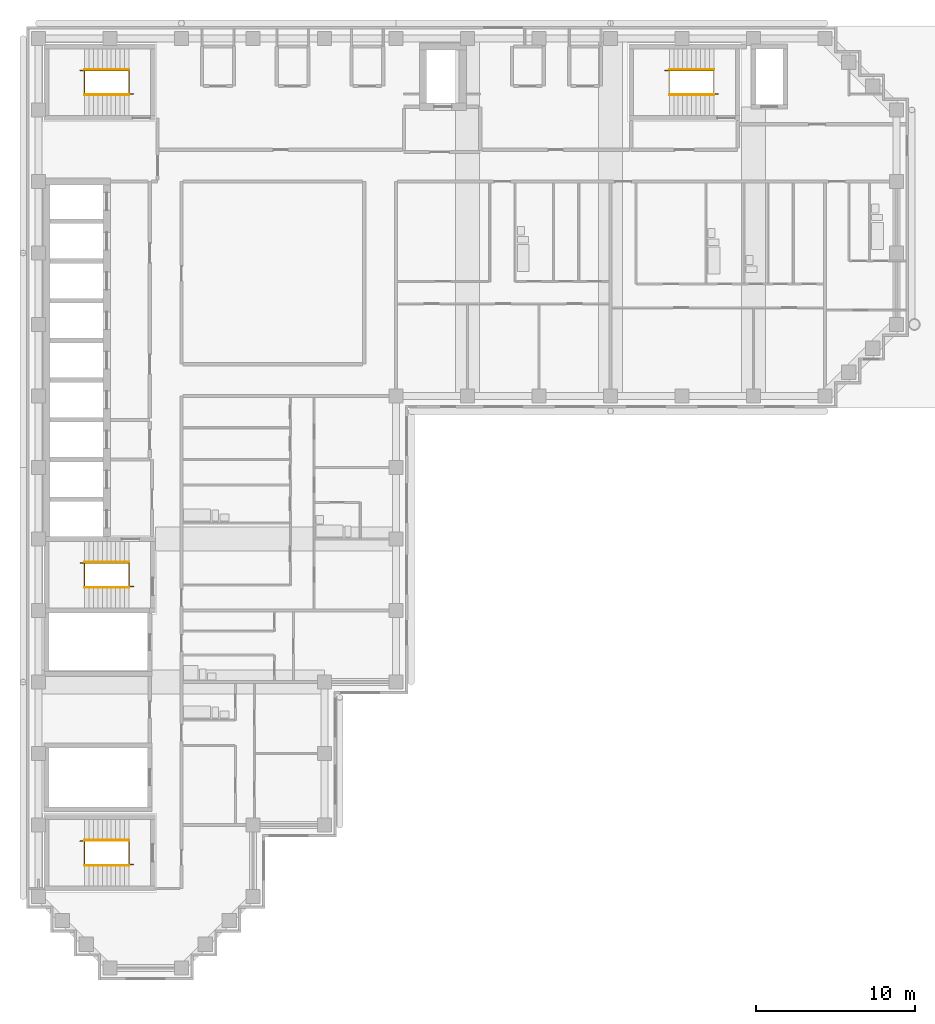
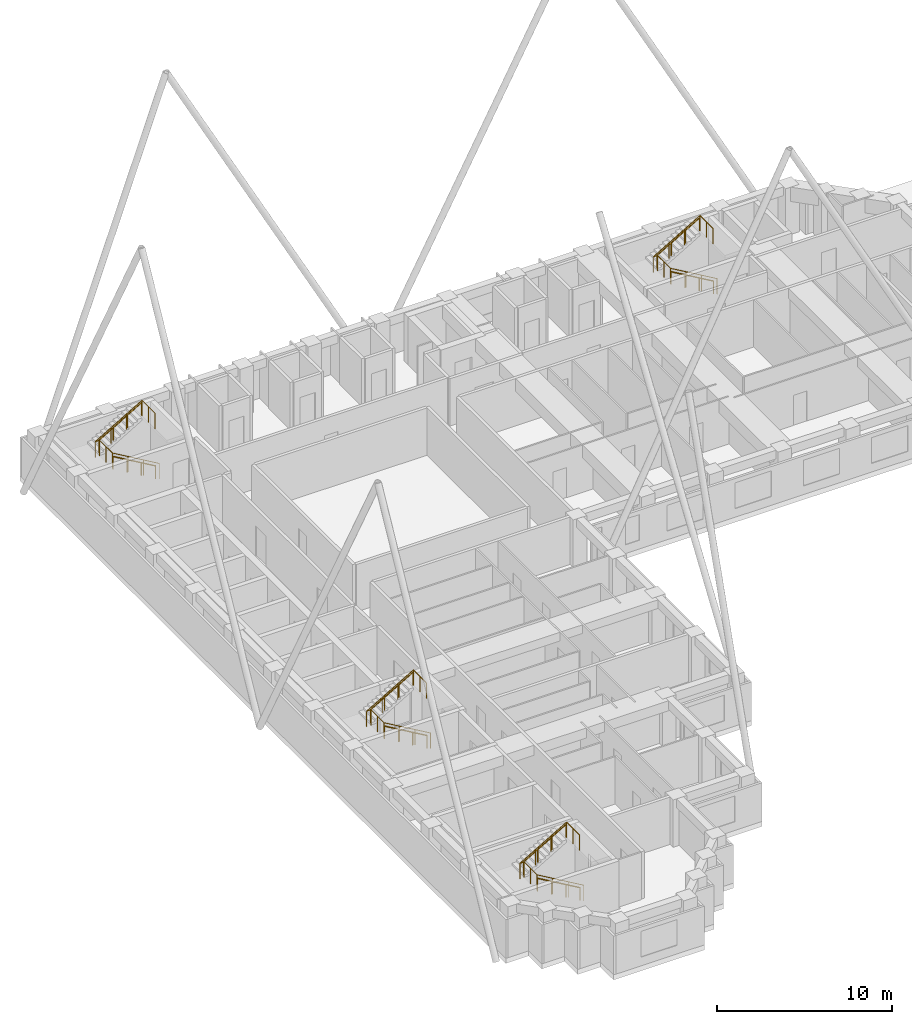
# One storey, part 10 of 11: 12 railings.
"""IFC4 building model written with IfcOpenShell, lengths in metres."""

from ifc_helpers import new_model, si_unit, direction, frame, origin, origin_2d, place, context, subcontext, project, spatial, circle, extrude, material, type_object, element, save


model = new_model("IFC4")

# Units and contexts
model_context = context("Model", 3, precision=1e-05, world=origin(), true_north=direction((0.0, 1.0)))
body_context = subcontext(model_context, "Body", "Model", "MODEL_VIEW")
ifc_project = project(units=[si_unit("LENGTHUNIT", "METRE"), si_unit("AREAUNIT", "SQUARE_METRE"), si_unit("VOLUMEUNIT", "CUBIC_METRE"), si_unit("PLANEANGLEUNIT", "RADIAN"), si_unit("MASSUNIT", "GRAM", prefix="KILO")], contexts=[model_context])

# Site, building, storey
site_placement = place(None, origin())
site = spatial("IfcSite", under=ifc_project, at=site_placement, CompositionType="ELEMENT")
building_placement = place(site_placement, origin())
building = spatial("IfcBuilding", under=site, at=building_placement, Name="Firuza Court", CompositionType="ELEMENT")
storey_placement = place(building_placement, frame((0.0, 0.0, 186.199951171875)))
storey = spatial("IfcBuildingStorey", under=building, at=storey_placement, Name="L47", CompositionType="ELEMENT", Elevation=186.199951171875)

# Railings
ifc_material_1 = material(Name="Steel S355", Category="steel")
railing_type_1 = type_object("IfcRailingType", Name="Handrail 900", PredefinedType="HANDRAIL", material=ifc_material_1)
railing_1_placement = place(storey_placement, frame((42.5, 54.949951171875, 0.16357421875)))
element("IfcRailing", 1, at=railing_1_placement, inside=storey, type_object=railing_type_1, Name="Handrail S1 flight 1", PredefinedType="HANDRAIL", context=body_context, shape_type="SweptSolid", body=[
    extrude(circle(Radius=0.02490234375, at=origin_2d()), frame((0.0, 0.0, 0.875), z_axis=(-0.863360870873, 0.0, 0.504586966384), x_axis=(0.0, -1.0, 0.0)), (0.0, 0.0, 1.0), 3.2431640625),
    extrude(circle(Radius=0.02001953125, at=origin_2d()), origin(), (0.0, 0.0, 1.0), 0.849853515625),
    extrude(circle(Radius=0.02001953125, at=origin_2d()), frame((-0.933349609375, 0.0, 0.54541015625)), (0.0, 0.0, 1.0), 0.849853515625),
    extrude(circle(Radius=0.02001953125, at=origin_2d()), frame((-1.86669921875, 0.0, 1.091064453125)), (0.0, 0.0, 1.0), 0.849853515625),
    extrude(circle(Radius=0.02001953125, at=origin_2d()), frame((-2.800048828125, 0.0, 1.636474609375)), (0.0, 0.0, 1.0), 0.849853515625),
])
railing_2_placement = place(storey_placement, frame((39.699951171875, 56.550048828125, 1.963623046875)))
element("IfcRailing", 2, at=railing_2_placement, inside=storey, type_object=railing_type_1, Name="Handrail S1 flight 2", PredefinedType="HANDRAIL", context=body_context, shape_type="SweptSolid", body=[
    extrude(circle(Radius=0.02490234375, at=origin_2d()), frame((0.0, 0.0, 0.875), z_axis=(0.863360870873, 0.0, 0.504586966384), x_axis=(0.0, 1.0, 0.0)), (0.0, 0.0, 1.0), 3.2431640625),
    extrude(circle(Radius=0.02001953125, at=origin_2d()), origin(), (0.0, 0.0, 1.0), 0.849853515625),
    extrude(circle(Radius=0.02001953125, at=origin_2d()), frame((0.933349609375, 0.0, 0.54541015625)), (0.0, 0.0, 1.0), 0.849853515625),
    extrude(circle(Radius=0.02001953125, at=origin_2d()), frame((1.86669921875, 0.0, 1.091064453125)), (0.0, 0.0, 1.0), 0.849853515625),
    extrude(circle(Radius=0.02001953125, at=origin_2d()), frame((2.800048828125, 0.0, 1.636474609375)), (0.0, 0.0, 1.0), 0.849853515625),
])
railing_3_placement = place(storey_placement, frame((5.699951171875, 23.949951171875, 0.16357421875)))
element("IfcRailing", 3, at=railing_3_placement, inside=storey, type_object=railing_type_1, Name="Handrail S2 flight 1", PredefinedType="HANDRAIL", context=body_context, shape_type="SweptSolid", body=[
    extrude(circle(Radius=0.02490234375, at=origin_2d()), frame((0.0, 0.0, 0.875), z_axis=(-0.863360870873, 0.0, 0.504586966384), x_axis=(0.0, -1.0, 0.0)), (0.0, 0.0, 1.0), 3.2431640625),
    extrude(circle(Radius=0.02001953125, at=origin_2d()), origin(), (0.0, 0.0, 1.0), 0.849853515625),
    extrude(circle(Radius=0.02001953125, at=origin_2d()), frame((-0.933349609375, 0.0, 0.54541015625)), (0.0, 0.0, 1.0), 0.849853515625),
    extrude(circle(Radius=0.02001953125, at=origin_2d()), frame((-1.86669921875, 0.0, 1.091064453125)), (0.0, 0.0, 1.0), 0.849853515625),
    extrude(circle(Radius=0.02001953125, at=origin_2d()), frame((-2.800048828125, 0.0, 1.636474609375)), (0.0, 0.0, 1.0), 0.849853515625),
])
railing_4_placement = place(storey_placement, frame((2.89990234375, 25.550048828125, 1.963623046875)))
element("IfcRailing", 4, at=railing_4_placement, inside=storey, type_object=railing_type_1, Name="Handrail S2 flight 2", PredefinedType="HANDRAIL", context=body_context, shape_type="SweptSolid", body=[
    extrude(circle(Radius=0.02490234375, at=origin_2d()), frame((0.0, 0.0, 0.875), z_axis=(0.863360870873, 0.0, 0.504586966384), x_axis=(0.0, 1.0, 0.0)), (0.0, 0.0, 1.0), 3.2431640625),
    extrude(circle(Radius=0.02001953125, at=origin_2d()), origin(), (0.0, 0.0, 1.0), 0.849853515625),
    extrude(circle(Radius=0.02001953125, at=origin_2d()), frame((0.933349609375, 0.0, 0.54541015625)), (0.0, 0.0, 1.0), 0.849853515625),
    extrude(circle(Radius=0.02001953125, at=origin_2d()), frame((1.86669921875, 0.0, 1.091064453125)), (0.0, 0.0, 1.0), 0.849853515625),
    extrude(circle(Radius=0.02001953125, at=origin_2d()), frame((2.800048828125, 0.0, 1.636474609375)), (0.0, 0.0, 1.0), 0.849853515625),
])
railing_5_placement = place(storey_placement, frame((5.699951171875, 54.949951171875, 0.16357421875)))
element("IfcRailing", 5, at=railing_5_placement, inside=storey, type_object=railing_type_1, Name="Handrail S3 flight 1", PredefinedType="HANDRAIL", context=body_context, shape_type="SweptSolid", body=[
    extrude(circle(Radius=0.02490234375, at=origin_2d()), frame((0.0, 0.0, 0.875), z_axis=(-0.863360870873, 0.0, 0.504586966384), x_axis=(0.0, -1.0, 0.0)), (0.0, 0.0, 1.0), 3.2431640625),
    extrude(circle(Radius=0.02001953125, at=origin_2d()), origin(), (0.0, 0.0, 1.0), 0.849853515625),
    extrude(circle(Radius=0.02001953125, at=origin_2d()), frame((-0.933349609375, 0.0, 0.54541015625)), (0.0, 0.0, 1.0), 0.849853515625),
    extrude(circle(Radius=0.02001953125, at=origin_2d()), frame((-1.86669921875, 0.0, 1.091064453125)), (0.0, 0.0, 1.0), 0.849853515625),
    extrude(circle(Radius=0.02001953125, at=origin_2d()), frame((-2.800048828125, 0.0, 1.636474609375)), (0.0, 0.0, 1.0), 0.849853515625),
])
railing_6_placement = place(storey_placement, frame((2.89990234375, 56.550048828125, 1.963623046875)))
element("IfcRailing", 6, at=railing_6_placement, inside=storey, type_object=railing_type_1, Name="Handrail S3 flight 2", PredefinedType="HANDRAIL", context=body_context, shape_type="SweptSolid", body=[
    extrude(circle(Radius=0.02490234375, at=origin_2d()), frame((0.0, 0.0, 0.875), z_axis=(0.863360870873, 0.0, 0.504586966384), x_axis=(0.0, 1.0, 0.0)), (0.0, 0.0, 1.0), 3.2431640625),
    extrude(circle(Radius=0.02001953125, at=origin_2d()), origin(), (0.0, 0.0, 1.0), 0.849853515625),
    extrude(circle(Radius=0.02001953125, at=origin_2d()), frame((0.933349609375, 0.0, 0.54541015625)), (0.0, 0.0, 1.0), 0.849853515625),
    extrude(circle(Radius=0.02001953125, at=origin_2d()), frame((1.86669921875, 0.0, 1.091064453125)), (0.0, 0.0, 1.0), 0.849853515625),
    extrude(circle(Radius=0.02001953125, at=origin_2d()), frame((2.800048828125, 0.0, 1.636474609375)), (0.0, 0.0, 1.0), 0.849853515625),
])
railing_7_placement = place(storey_placement, frame((5.699951171875, 6.449951171875, 0.16357421875)))
element("IfcRailing", 7, at=railing_7_placement, inside=storey, type_object=railing_type_1, Name="Handrail S5 flight 1", PredefinedType="HANDRAIL", context=body_context, shape_type="SweptSolid", body=[
    extrude(circle(Radius=0.02490234375, at=origin_2d()), frame((0.0, 0.0, 0.875), z_axis=(-0.863360870873, 0.0, 0.504586966384), x_axis=(0.0, -1.0, 0.0)), (0.0, 0.0, 1.0), 3.2431640625),
    extrude(circle(Radius=0.02001953125, at=origin_2d()), origin(), (0.0, 0.0, 1.0), 0.849853515625),
    extrude(circle(Radius=0.02001953125, at=origin_2d()), frame((-0.933349609375, 0.0, 0.54541015625)), (0.0, 0.0, 1.0), 0.849853515625),
    extrude(circle(Radius=0.02001953125, at=origin_2d()), frame((-1.86669921875, 0.0, 1.091064453125)), (0.0, 0.0, 1.0), 0.849853515625),
    extrude(circle(Radius=0.02001953125, at=origin_2d()), frame((-2.800048828125, 0.0, 1.636474609375)), (0.0, 0.0, 1.0), 0.849853515625),
])
railing_8_placement = place(storey_placement, frame((2.89990234375, 8.050048828125, 1.963623046875)))
element("IfcRailing", 8, at=railing_8_placement, inside=storey, type_object=railing_type_1, Name="Handrail S5 flight 2", PredefinedType="HANDRAIL", context=body_context, shape_type="SweptSolid", body=[
    extrude(circle(Radius=0.02490234375, at=origin_2d()), frame((0.0, 0.0, 0.875), z_axis=(0.863360870873, 0.0, 0.504586966384), x_axis=(0.0, 1.0, 0.0)), (0.0, 0.0, 1.0), 3.2431640625),
    extrude(circle(Radius=0.02001953125, at=origin_2d()), origin(), (0.0, 0.0, 1.0), 0.849853515625),
    extrude(circle(Radius=0.02001953125, at=origin_2d()), frame((0.933349609375, 0.0, 0.54541015625)), (0.0, 0.0, 1.0), 0.849853515625),
    extrude(circle(Radius=0.02001953125, at=origin_2d()), frame((1.86669921875, 0.0, 1.091064453125)), (0.0, 0.0, 1.0), 0.849853515625),
    extrude(circle(Radius=0.02001953125, at=origin_2d()), frame((2.800048828125, 0.0, 1.636474609375)), (0.0, 0.0, 1.0), 0.849853515625),
])
ifc_material_2 = material(Name="Steel S355", Category="steel")
railing_type_2 = type_object("IfcRailingType", Name="Stair guard 1100", PredefinedType="GUARDRAIL", material=ifc_material_2)
railing_9_placement = place(storey_placement, frame((42.780029296875, 55.010009765625, 0.0)))
element("IfcRailing", 9, at=railing_9_placement, inside=storey, type_object=railing_type_2, Name="Stair well guard S1", PredefinedType="GUARDRAIL", context=body_context, shape_type="SweptSolid", body=[
    extrude(circle(Radius=0.02490234375, at=origin_2d()), frame((0.0, 0.0, 1.0751953125), z_axis=(-0.863371556955, 0.0, 0.504568681787), x_axis=(0.0, -1.0, 0.0)), (0.0, 0.0, 1.0), 3.5673828125),
    extrude(circle(Radius=0.02490234375, at=origin_2d()), frame((-3.080078125, 0.0, 2.875), z_axis=(0.0, 1.0, 0.0), x_axis=(-1.0, 0.0, 0.0)), (0.0, 0.0, 1.0), 1.47998046875),
    extrude(circle(Radius=0.02490234375, at=origin_2d()), frame((-3.080078125, 1.47998046875, 2.875), z_axis=(-1.0, 0.0, 0.0), x_axis=(0.0, -1.0, 0.0)), (0.0, 0.0, 1.0), 0.280029296875),
    extrude(circle(Radius=0.02490234375, at=origin_2d()), frame((-3.360107421875, 1.47998046875, 2.875), z_axis=(0.863371556955, 0.0, 0.504568681787), x_axis=(0.0, 1.0, 0.0)), (0.0, 0.0, 1.0), 3.5673828125),
    extrude(circle(Radius=0.02490234375, at=origin_2d()), frame((-0.280029296875, 1.47998046875, 4.67529296875), z_axis=(0.0, -1.0, 0.0), x_axis=(1.0, 0.0, 0.0)), (0.0, 0.0, 1.0), 1.47998046875),
    extrude(circle(Radius=0.02490234375, at=origin_2d()), origin(), (0.0, 0.0, 1.0), 1.050048828125),
    extrude(circle(Radius=0.02490234375, at=origin_2d()), frame((-1.026611328125, 0.0, 0.60009765625)), (0.0, 0.0, 1.0), 1.050048828125),
    extrude(circle(Radius=0.02490234375, at=origin_2d()), frame((-2.053466796875, 0.0, 1.199951171875)), (0.0, 0.0, 1.0), 1.050048828125),
    extrude(circle(Radius=0.02490234375, at=origin_2d()), frame((-3.080078125, 0.0, 1.800048828125)), (0.0, 0.0, 1.0), 1.050048828125),
    extrude(circle(Radius=0.02490234375, at=origin_2d()), frame((-3.080078125, 0.739990234375, 1.800048828125)), (0.0, 0.0, 1.0), 1.050048828125),
    extrude(circle(Radius=0.02490234375, at=origin_2d()), frame((-3.080078125, 1.47998046875, 1.800048828125)), (0.0, 0.0, 1.0), 1.050048828125),
    extrude(circle(Radius=0.02490234375, at=origin_2d()), frame((-3.360107421875, 1.47998046875, 1.800048828125)), (0.0, 0.0, 1.0), 1.050048828125),
    extrude(circle(Radius=0.02490234375, at=origin_2d()), frame((-2.33349609375, 1.47998046875, 2.400146484375)), (0.0, 0.0, 1.0), 1.050048828125),
    extrude(circle(Radius=0.02490234375, at=origin_2d()), frame((-1.306640625, 1.47998046875, 3.0)), (0.0, 0.0, 1.0), 1.050048828125),
    extrude(circle(Radius=0.02490234375, at=origin_2d()), frame((-0.280029296875, 1.47998046875, 3.60009765625)), (0.0, 0.0, 1.0), 1.050048828125),
    extrude(circle(Radius=0.02490234375, at=origin_2d()), frame((-0.280029296875, 0.739990234375, 3.60009765625)), (0.0, 0.0, 1.0), 1.050048828125),
    extrude(circle(Radius=0.02490234375, at=origin_2d()), frame((-0.280029296875, 0.0, 3.60009765625)), (0.0, 0.0, 1.0), 1.050048828125),
])
railing_10_placement = place(storey_placement, frame((5.97998046875, 24.010009765625, 0.0)))
element("IfcRailing", 10, at=railing_10_placement, inside=storey, type_object=railing_type_2, Name="Stair well guard S2", PredefinedType="GUARDRAIL", context=body_context, shape_type="SweptSolid", body=[
    extrude(circle(Radius=0.02490234375, at=origin_2d()), frame((0.0, 0.0, 1.0751953125), z_axis=(-0.863371556955, 0.0, 0.504568681787), x_axis=(0.0, -1.0, 0.0)), (0.0, 0.0, 1.0), 3.5673828125),
    extrude(circle(Radius=0.02490234375, at=origin_2d()), frame((-3.080078125, 0.0, 2.875), z_axis=(0.0, 1.0, 0.0), x_axis=(-1.0, 0.0, 0.0)), (0.0, 0.0, 1.0), 1.47998046875),
    extrude(circle(Radius=0.02490234375, at=origin_2d()), frame((-3.080078125, 1.47998046875, 2.875), z_axis=(-1.0, 0.0, 0.0), x_axis=(0.0, -1.0, 0.0)), (0.0, 0.0, 1.0), 0.27978515625),
    extrude(circle(Radius=0.02490234375, at=origin_2d()), frame((-3.35986328125, 1.47998046875, 2.875), z_axis=(0.863354132664, 0.0, 0.504598495452), x_axis=(0.0, 1.0, 0.0)), (0.0, 0.0, 1.0), 3.5673828125),
    extrude(circle(Radius=0.02490234375, at=origin_2d()), frame((-0.280029296875, 1.47998046875, 4.67529296875), z_axis=(0.0, -1.0, 0.0), x_axis=(1.0, 0.0, 0.0)), (0.0, 0.0, 1.0), 1.47998046875),
    extrude(circle(Radius=0.02490234375, at=origin_2d()), origin(), (0.0, 0.0, 1.0), 1.050048828125),
    extrude(circle(Radius=0.02490234375, at=origin_2d()), frame((-1.026611328125, 0.0, 0.60009765625)), (0.0, 0.0, 1.0), 1.050048828125),
    extrude(circle(Radius=0.02490234375, at=origin_2d()), frame((-2.053466796875, 0.0, 1.199951171875)), (0.0, 0.0, 1.0), 1.050048828125),
    extrude(circle(Radius=0.02490234375, at=origin_2d()), frame((-3.080078125, 0.0, 1.800048828125)), (0.0, 0.0, 1.0), 1.050048828125),
    extrude(circle(Radius=0.02490234375, at=origin_2d()), frame((-3.080078125, 0.739990234375, 1.800048828125)), (0.0, 0.0, 1.0), 1.050048828125),
    extrude(circle(Radius=0.02490234375, at=origin_2d()), frame((-3.080078125, 1.47998046875, 1.800048828125)), (0.0, 0.0, 1.0), 1.050048828125),
    extrude(circle(Radius=0.02490234375, at=origin_2d()), frame((-3.35986328125, 1.47998046875, 1.800048828125)), (0.0, 0.0, 1.0), 1.050048828125),
    extrude(circle(Radius=0.02490234375, at=origin_2d()), frame((-2.333251953125, 1.47998046875, 2.400146484375)), (0.0, 0.0, 1.0), 1.050048828125),
    extrude(circle(Radius=0.02490234375, at=origin_2d()), frame((-1.306640625, 1.47998046875, 3.0)), (0.0, 0.0, 1.0), 1.050048828125),
    extrude(circle(Radius=0.02490234375, at=origin_2d()), frame((-0.280029296875, 1.47998046875, 3.60009765625)), (0.0, 0.0, 1.0), 1.050048828125),
    extrude(circle(Radius=0.02490234375, at=origin_2d()), frame((-0.280029296875, 0.739990234375, 3.60009765625)), (0.0, 0.0, 1.0), 1.050048828125),
    extrude(circle(Radius=0.02490234375, at=origin_2d()), frame((-0.280029296875, 0.0, 3.60009765625)), (0.0, 0.0, 1.0), 1.050048828125),
])
railing_11_placement = place(storey_placement, frame((5.97998046875, 55.010009765625, 0.0)))
element("IfcRailing", 11, at=railing_11_placement, inside=storey, type_object=railing_type_2, Name="Stair well guard S3", PredefinedType="GUARDRAIL", context=body_context, shape_type="SweptSolid", body=[
    extrude(circle(Radius=0.02490234375, at=origin_2d()), frame((0.0, 0.0, 1.0751953125), z_axis=(-0.863371556955, 0.0, 0.504568681787), x_axis=(0.0, -1.0, 0.0)), (0.0, 0.0, 1.0), 3.5673828125),
    extrude(circle(Radius=0.02490234375, at=origin_2d()), frame((-3.080078125, 0.0, 2.875), z_axis=(0.0, 1.0, 0.0), x_axis=(-1.0, 0.0, 0.0)), (0.0, 0.0, 1.0), 1.47998046875),
    extrude(circle(Radius=0.02490234375, at=origin_2d()), frame((-3.080078125, 1.47998046875, 2.875), z_axis=(-1.0, 0.0, 0.0), x_axis=(0.0, -1.0, 0.0)), (0.0, 0.0, 1.0), 0.27978515625),
    extrude(circle(Radius=0.02490234375, at=origin_2d()), frame((-3.35986328125, 1.47998046875, 2.875), z_axis=(0.863354132664, 0.0, 0.504598495452), x_axis=(0.0, 1.0, 0.0)), (0.0, 0.0, 1.0), 3.5673828125),
    extrude(circle(Radius=0.02490234375, at=origin_2d()), frame((-0.280029296875, 1.47998046875, 4.67529296875), z_axis=(0.0, -1.0, 0.0), x_axis=(1.0, 0.0, 0.0)), (0.0, 0.0, 1.0), 1.47998046875),
    extrude(circle(Radius=0.02490234375, at=origin_2d()), origin(), (0.0, 0.0, 1.0), 1.050048828125),
    extrude(circle(Radius=0.02490234375, at=origin_2d()), frame((-1.026611328125, 0.0, 0.60009765625)), (0.0, 0.0, 1.0), 1.050048828125),
    extrude(circle(Radius=0.02490234375, at=origin_2d()), frame((-2.053466796875, 0.0, 1.199951171875)), (0.0, 0.0, 1.0), 1.050048828125),
    extrude(circle(Radius=0.02490234375, at=origin_2d()), frame((-3.080078125, 0.0, 1.800048828125)), (0.0, 0.0, 1.0), 1.050048828125),
    extrude(circle(Radius=0.02490234375, at=origin_2d()), frame((-3.080078125, 0.739990234375, 1.800048828125)), (0.0, 0.0, 1.0), 1.050048828125),
    extrude(circle(Radius=0.02490234375, at=origin_2d()), frame((-3.080078125, 1.47998046875, 1.800048828125)), (0.0, 0.0, 1.0), 1.050048828125),
    extrude(circle(Radius=0.02490234375, at=origin_2d()), frame((-3.35986328125, 1.47998046875, 1.800048828125)), (0.0, 0.0, 1.0), 1.050048828125),
    extrude(circle(Radius=0.02490234375, at=origin_2d()), frame((-2.333251953125, 1.47998046875, 2.400146484375)), (0.0, 0.0, 1.0), 1.050048828125),
    extrude(circle(Radius=0.02490234375, at=origin_2d()), frame((-1.306640625, 1.47998046875, 3.0)), (0.0, 0.0, 1.0), 1.050048828125),
    extrude(circle(Radius=0.02490234375, at=origin_2d()), frame((-0.280029296875, 1.47998046875, 3.60009765625)), (0.0, 0.0, 1.0), 1.050048828125),
    extrude(circle(Radius=0.02490234375, at=origin_2d()), frame((-0.280029296875, 0.739990234375, 3.60009765625)), (0.0, 0.0, 1.0), 1.050048828125),
    extrude(circle(Radius=0.02490234375, at=origin_2d()), frame((-0.280029296875, 0.0, 3.60009765625)), (0.0, 0.0, 1.0), 1.050048828125),
])
railing_12_placement = place(storey_placement, frame((5.97998046875, 6.510009765625, 0.0)))
element("IfcRailing", 12, at=railing_12_placement, inside=storey, type_object=railing_type_2, Name="Stair well guard S5", PredefinedType="GUARDRAIL", context=body_context, shape_type="SweptSolid", body=[
    extrude(circle(Radius=0.02490234375, at=origin_2d()), frame((0.0, 0.0, 1.0751953125), z_axis=(-0.863371556955, 0.0, 0.504568681787), x_axis=(0.0, -1.0, 0.0)), (0.0, 0.0, 1.0), 3.5673828125),
    extrude(circle(Radius=0.02490234375, at=origin_2d()), frame((-3.080078125, 0.0, 2.875), z_axis=(0.0, 1.0, 0.0), x_axis=(-1.0, 0.0, 0.0)), (0.0, 0.0, 1.0), 1.47998046875),
    extrude(circle(Radius=0.02490234375, at=origin_2d()), frame((-3.080078125, 1.47998046875, 2.875), z_axis=(-1.0, 0.0, 0.0), x_axis=(0.0, -1.0, 0.0)), (0.0, 0.0, 1.0), 0.27978515625),
    extrude(circle(Radius=0.02490234375, at=origin_2d()), frame((-3.35986328125, 1.47998046875, 2.875), z_axis=(0.863354132664, 0.0, 0.504598495452), x_axis=(0.0, 1.0, 0.0)), (0.0, 0.0, 1.0), 3.5673828125),
    extrude(circle(Radius=0.02490234375, at=origin_2d()), frame((-0.280029296875, 1.47998046875, 4.67529296875), z_axis=(0.0, -1.0, 0.0), x_axis=(1.0, 0.0, 0.0)), (0.0, 0.0, 1.0), 1.47998046875),
    extrude(circle(Radius=0.02490234375, at=origin_2d()), origin(), (0.0, 0.0, 1.0), 1.050048828125),
    extrude(circle(Radius=0.02490234375, at=origin_2d()), frame((-1.026611328125, 0.0, 0.60009765625)), (0.0, 0.0, 1.0), 1.050048828125),
    extrude(circle(Radius=0.02490234375, at=origin_2d()), frame((-2.053466796875, 0.0, 1.199951171875)), (0.0, 0.0, 1.0), 1.050048828125),
    extrude(circle(Radius=0.02490234375, at=origin_2d()), frame((-3.080078125, 0.0, 1.800048828125)), (0.0, 0.0, 1.0), 1.050048828125),
    extrude(circle(Radius=0.02490234375, at=origin_2d()), frame((-3.080078125, 0.739990234375, 1.800048828125)), (0.0, 0.0, 1.0), 1.050048828125),
    extrude(circle(Radius=0.02490234375, at=origin_2d()), frame((-3.080078125, 1.47998046875, 1.800048828125)), (0.0, 0.0, 1.0), 1.050048828125),
    extrude(circle(Radius=0.02490234375, at=origin_2d()), frame((-3.35986328125, 1.47998046875, 1.800048828125)), (0.0, 0.0, 1.0), 1.050048828125),
    extrude(circle(Radius=0.02490234375, at=origin_2d()), frame((-2.333251953125, 1.47998046875, 2.400146484375)), (0.0, 0.0, 1.0), 1.050048828125),
    extrude(circle(Radius=0.02490234375, at=origin_2d()), frame((-1.306640625, 1.47998046875, 3.0)), (0.0, 0.0, 1.0), 1.050048828125),
    extrude(circle(Radius=0.02490234375, at=origin_2d()), frame((-0.280029296875, 1.47998046875, 3.60009765625)), (0.0, 0.0, 1.0), 1.050048828125),
    extrude(circle(Radius=0.02490234375, at=origin_2d()), frame((-0.280029296875, 0.739990234375, 3.60009765625)), (0.0, 0.0, 1.0), 1.050048828125),
    extrude(circle(Radius=0.02490234375, at=origin_2d()), frame((-0.280029296875, 0.0, 3.60009765625)), (0.0, 0.0, 1.0), 1.050048828125),
])

save(model, "model.ifc")
